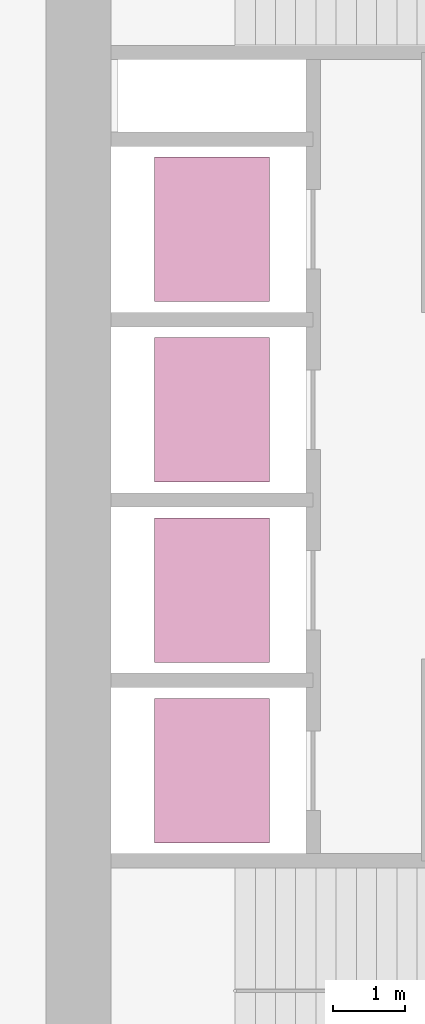
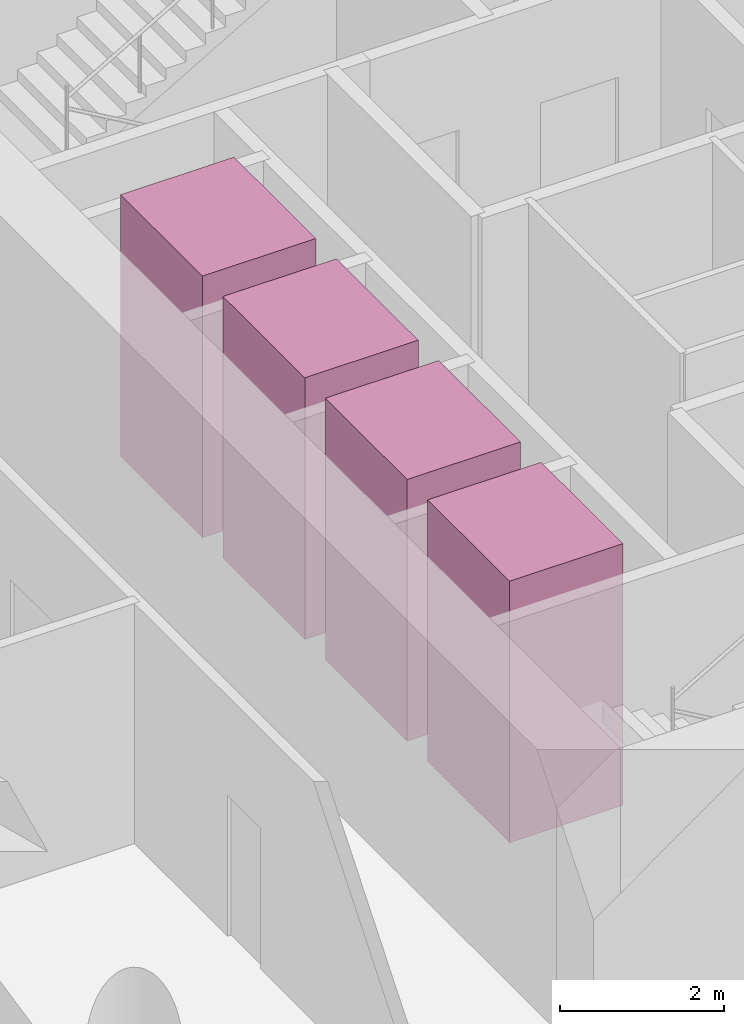
# One storey, part 10 of 10: 4 transport elements.
"""IFC4 building model written with IfcOpenShell, lengths in metres."""

from ifc_helpers import new_model, si_unit, direction, frame, origin, origin_2d, place, context, subcontext, project, spatial, rectangle, extrude, material, type_object, element, save


model = new_model("IFC4")

# Units and contexts
model_context = context("Model", 3, precision=1e-05, world=origin(), true_north=direction((0.0, 1.0)))
body_context = subcontext(model_context, "Body", "Model", "MODEL_VIEW")
ifc_project = project(units=[si_unit("LENGTHUNIT", "METRE"), si_unit("AREAUNIT", "SQUARE_METRE"), si_unit("VOLUMEUNIT", "CUBIC_METRE"), si_unit("PLANEANGLEUNIT", "RADIAN"), si_unit("MASSUNIT", "GRAM", prefix="KILO")], contexts=[model_context])

# Site, building, storey
site_placement = place(None, origin())
site = spatial("IfcSite", under=ifc_project, at=site_placement, CompositionType="ELEMENT")
building_placement = place(site_placement, origin())
building = spatial("IfcBuilding", under=site, at=building_placement, Name="Qaws Garden Tower", CompositionType="ELEMENT")
storey_placement = place(building_placement, frame((0.0, 0.0, 19.800048828125)))
storey = spatial("IfcBuildingStorey", under=building, at=storey_placement, Name="L04", CompositionType="ELEMENT", Elevation=19.800048828125)

# Transport elements
ifc_material = material(Name="Stainless steel 316", Category="steel")
transport_element_type = type_object("IfcTransportElementType", Name="Passenger lift car 2000x1600 1800 kg", PredefinedType="ELEVATOR", material=ifc_material)
for number, where, z_axis, x_axis, name in (
    (1, (10.300048828125, 13.64990234375, 0.0), (0.0, 0.0, 1.0), (1.0, 0.0, 0.0), "LR1"),
    (2, (10.300048828125, 16.14990234375, 0.0), (0.0, 0.0, 1.0), (1.0, 0.0, 0.0), "LR2"),
    (3, (10.300048828125, 18.64990234375, 0.0), (0.0, 0.0, 1.0), (1.0, 0.0, 0.0), "LR3"),
    (4, (10.300048828125, 21.14990234375, 0.0), (0.0, 0.0, 1.0), (1.0, 0.0, 0.0), "LR4"),
):
    element("IfcTransportElement", number, at=place(storey_placement, frame(where, z_axis=z_axis, x_axis=x_axis)), inside=storey, type_object=transport_element_type, Name=name, PredefinedType="ELEVATOR", context=body_context, shape_type="SweptSolid", body=[
        extrude(rectangle(XDim=1.60009765625, YDim=2.0, at=origin_2d()), origin(), (0.0, 0.0, 1.0), 3.89990234375),
    ])

save(model, "model.ifc")
